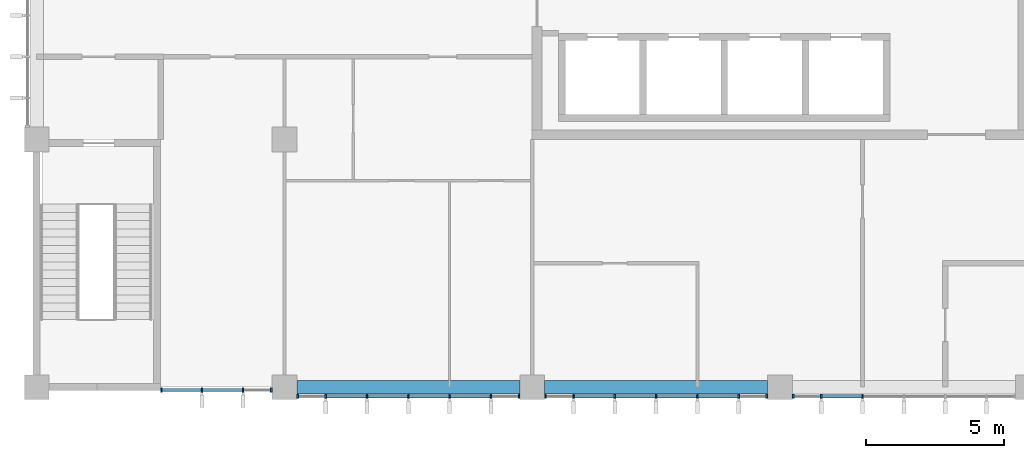
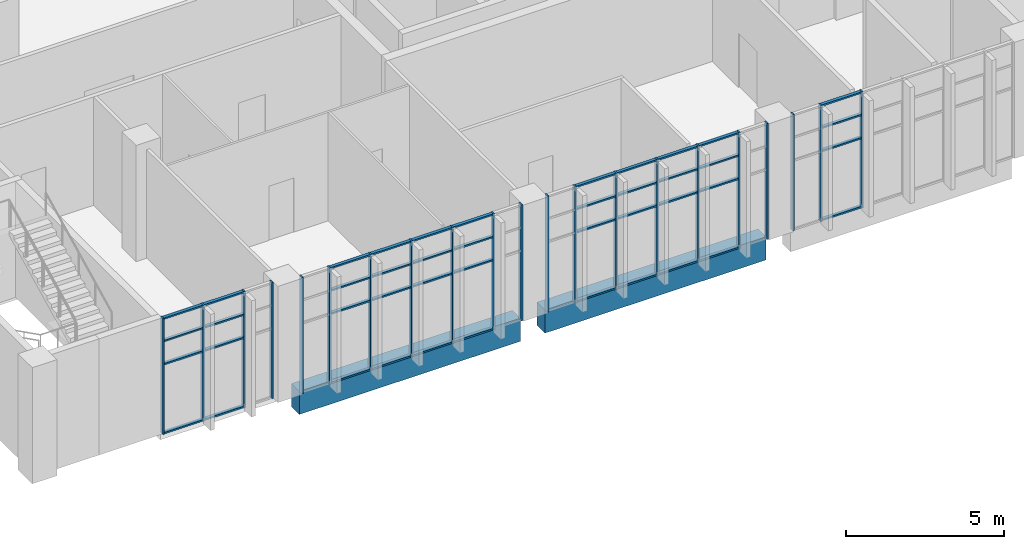
# One storey, part 10 of 45: 65 members, 2 beams, 4 elements without a shape of their own.
"""IFC4 building model written with IfcOpenShell, lengths in metres."""

import ifcopenshell
import ifcopenshell.guid

model = None  # the IFC model being written
_history = None  # IfcOwnerHistory: only IFC2X3 demands one
_inside = {}  # id of a spatial element -> (the spatial element, [elements in it])
_under = {}  # id of a project, library or spatial element -> (it, [spatial elements below it])
_declared = {}  # id of a project -> (the project, [libraries it declares])
_typed = {}  # id of a type object -> (the type object, [elements of that type])
_made_of = {}  # id of a material, layer set ... -> (it, [elements and type objects made of it])


def new_model(schema):
    """Start an empty IFC model of exactly this schema.

    Asked for "IFC4X3", IfcOpenShell would pick the latest addendum, in which some entities
    have other attributes; the version numbers below select the first issue.
    IFC2X3 requires an IfcOwnerHistory on every rooted entity: one is made here for all.
    """
    global model, _history
    if schema == "IFC4X3":
        model = ifcopenshell.file(schema_version=(4, 3, 0, 0))
    else:
        model = ifcopenshell.file(schema=schema)
    _inside.clear()
    _under.clear()
    _declared.clear()
    _typed.clear()
    _made_of.clear()
    _history = None
    if model.schema == "IFC2X3":
        org = make("IfcOrganization", Name="unknown")
        user = make(
            "IfcPersonAndOrganization",
            ThePerson=make("IfcPerson", FamilyName="unknown"),
            TheOrganization=org,
        )
        app = make(
            "IfcApplication",
            ApplicationDeveloper=org,
            Version="unknown",
            ApplicationFullName="unknown",
            ApplicationIdentifier="unknown",
        )
        _history = make(
            "IfcOwnerHistory",
            OwningUser=user,
            OwningApplication=app,
            ChangeAction="ADDED",
            CreationDate=0,
        )
    return model


def make(cls, **values):
    """One entity of the class cls with the attributes given. An attribute that is None is left unset."""
    return model.create_entity(
        cls, **{name: value for name, value in values.items() if value is not None}
    )


def rooted(cls, **values):
    """An entity with a GlobalId (a new one), such as an element, a storey or a relation."""
    return make(cls, GlobalId=ifcopenshell.guid.new(), OwnerHistory=_history, **values)


def si_unit(unit_type, name, prefix=None):
    """IfcSIUnit, for example si_unit("LENGTHUNIT", "METRE", prefix="MILLI")."""
    return make("IfcSIUnit", UnitType=unit_type, Prefix=prefix, Name=name)


def assignment(units):
    """IfcUnitAssignment: the units of a project."""
    return None if units is None else make("IfcUnitAssignment", Units=units)


def point(xyz):
    """IfcCartesianPoint."""
    return None if xyz is None else make("IfcCartesianPoint", Coordinates=xyz)


def direction(xyz):
    """IfcDirection."""
    return None if xyz is None else make("IfcDirection", DirectionRatios=xyz)


def frame(location, z_axis=None, x_axis=None):
    """IfcAxis2Placement3D, a coordinate frame: its origin and axes. An axis left out is left unset."""
    return make(
        "IfcAxis2Placement3D",
        Location=point(location),
        Axis=direction(z_axis),
        RefDirection=direction(x_axis),
    )


def frame_2d(location, x_axis=None):
    """IfcAxis2Placement2D, a coordinate frame in the plane: its origin and x axis."""
    return make(
        "IfcAxis2Placement2D", Location=point(location), RefDirection=direction(x_axis)
    )


def origin():
    """The frame at (0, 0, 0) with its axes left unset."""
    return frame((0.0, 0.0, 0.0))


def origin_2d():
    """The frame at (0, 0) in the plane with its x axis left unset."""
    return frame_2d((0.0, 0.0))


def place(relative_to, where):
    """IfcLocalPlacement: puts the frame where relative to a parent placement (None: the world)."""
    return make(
        "IfcLocalPlacement", PlacementRelTo=relative_to, RelativePlacement=where
    )


def context(
    kind, dimensions, precision=None, world=None, true_north=None, identifier=None
):
    """IfcGeometricRepresentationContext, for example the 3D "Model" context."""
    return make(
        "IfcGeometricRepresentationContext",
        ContextIdentifier=identifier,
        ContextType=kind,
        CoordinateSpaceDimension=dimensions,
        Precision=precision,
        WorldCoordinateSystem=world,
        TrueNorth=true_north,
    )


def subcontext(parent, identifier, kind, view, scale=None):
    """IfcGeometricRepresentationSubContext, for example "Body" below "Model"."""
    return make(
        "IfcGeometricRepresentationSubContext",
        ContextIdentifier=identifier,
        ContextType=kind,
        ParentContext=parent,
        TargetScale=scale,
        TargetView=view,
    )


def project(units=None, contexts=None):
    """IfcProject with its units and contexts."""
    return rooted(
        "IfcProject",
        Name="project",
        RepresentationContexts=contexts,
        UnitsInContext=assignment(units),
    )


def spatial(cls, under=None, at=None, **own):
    """A site, building, storey or space (cls), placed at a placement, below another one or the project."""
    s = rooted(cls, ObjectPlacement=at, **own)
    if under is not None:
        _under.setdefault(under.id(), (under, []))[1].append(s)
    return s


def profile(cls, at=None, kind="AREA", **sizes):
    """A parametric profile (cls). Its sizes go by their IFC names, for example OverallWidth=200.0."""
    return make(cls, ProfileType=kind, Position=at, **sizes)


def rectangle(**sizes):
    """IfcRectangleProfileDef."""
    return profile("IfcRectangleProfileDef", **sizes)


def extrude(swept, where, along, depth):
    """IfcExtrudedAreaSolid: the profile swept, set in the frame where, extruded along a direction by depth."""
    return make(
        "IfcExtrudedAreaSolid",
        SweptArea=swept,
        Position=where,
        ExtrudedDirection=direction(along),
        Depth=depth,
    )


def shape(context_of_items, identifier, shape_type, items):
    """IfcShapeRepresentation: the items that make up one representation, for example the "Body"."""
    return make(
        "IfcShapeRepresentation",
        ContextOfItems=context_of_items,
        RepresentationIdentifier=identifier,
        RepresentationType=shape_type,
        Items=items,
    )


def material(Name=None, Category=None):
    """IfcMaterial."""
    return make("IfcMaterial", Name=Name, Category=Category)


def layer(
    of_material, thickness, ventilated=None, Name=None, Category=None, Priority=None
):
    """IfcMaterialLayer: one layer of a wall or slab, of a material (None: an air gap)."""
    return make(
        "IfcMaterialLayer",
        Material=of_material,
        LayerThickness=thickness,
        IsVentilated=ventilated,
        Name=Name,
        Category=Category,
        Priority=Priority,
    )


def layer_set(layers, Name=None):
    """IfcMaterialLayerSet."""
    return make("IfcMaterialLayerSet", MaterialLayers=layers, LayerSetName=Name)


def material_profile(
    of_material, cross_section, Name=None, Category=None, Priority=None
):
    """IfcMaterialProfile: a cross section and its material."""
    return make(
        "IfcMaterialProfile",
        Name=Name,
        Material=of_material,
        Profile=cross_section,
        Priority=Priority,
        Category=Category,
    )


def profile_set(profiles, Name=None, composite=None):
    """IfcMaterialProfileSet."""
    return make(
        "IfcMaterialProfileSet",
        Name=Name,
        MaterialProfiles=profiles,
        CompositeProfile=composite,
    )


def made_of(thing, what):
    """Note that an element or type object is made of a material, layer set ...; save() writes the relation."""
    if what is not None:
        _made_of.setdefault(what.id(), (what, []))[1].append(thing)
    return thing


def type_object(cls, material=None, **own):
    """A type object (cls), such as IfcWallType, which elements share."""
    return made_of(rooted(cls, **own), material)


def element(
    cls,
    number,
    at=None,
    inside=None,
    cuts=None,
    type_object=None,
    material=None,
    context=None,
    identifier="Body",
    shape_type=None,
    held_by="IfcProductDefinitionShape",
    body=None,
    shapes=None,
    **own,
):
    """One element of the class cls, such as IfcWall. Its Tag is "e" and its number.

    at: its placement. inside: the storey or other place that contains it. cuts: it is an
    opening in that element (IfcRelVoidsElement). A single representation is given by context,
    identifier, shape_type and body (its items); several are given by shapes. held_by: the class
    of the entity that holds the representations. save() writes the other relations.
    """
    e = rooted(cls, Tag="e%d" % number, ObjectPlacement=at, **own)
    if body is not None:
        shapes = [shape(context, identifier, shape_type, body)]
    if shapes is not None:
        e.Representation = make(held_by, Representations=shapes)
    if inside is not None:
        _inside.setdefault(inside.id(), (inside, []))[1].append(e)
    if cuts is not None:
        rooted(
            "IfcRelVoidsElement", RelatingBuildingElement=cuts, RelatedOpeningElement=e
        )
    if type_object is not None:
        _typed.setdefault(type_object.id(), (type_object, []))[1].append(e)
    return made_of(e, material)


def aggregate(whole, parts):
    """IfcRelAggregates: a whole, such as a stair, and the parts it consists of."""
    return rooted("IfcRelAggregates", RelatingObject=whole, RelatedObjects=parts)


def save(model, path):
    """Write the relations noted so far, then the file.

    IfcRelAggregates (storeys below a building ...), IfcRelContainedInSpatialStructure (elements
    in a storey), IfcRelDefinesByType, IfcRelAssociatesMaterial and IfcRelDeclares: one each for
    every whole, place, type object, material and project.
    """
    for whole, parts in _under.values():
        aggregate(whole, parts)
    for where, things in _inside.values():
        rooted(
            "IfcRelContainedInSpatialStructure",
            RelatedElements=things,
            RelatingStructure=where,
        )
    for kind, things in _typed.values():
        rooted("IfcRelDefinesByType", RelatedObjects=things, RelatingType=kind)
    for what, things in _made_of.values():
        rooted("IfcRelAssociatesMaterial", RelatedObjects=things, RelatingMaterial=what)
    for by, libraries in _declared.values():
        rooted("IfcRelDeclares", RelatingContext=by, RelatedDefinitions=libraries)
    model.write(path)


model = new_model("IFC4")

# Units and contexts
model_context = context("Model", 3, precision=1e-05, world=origin(), true_north=direction((0.0, 1.0)))
body_context = subcontext(model_context, "Body", "Model", "MODEL_VIEW")
ifc_project = project(units=[si_unit("LENGTHUNIT", "METRE"), si_unit("AREAUNIT", "SQUARE_METRE"), si_unit("VOLUMEUNIT", "CUBIC_METRE"), si_unit("PLANEANGLEUNIT", "RADIAN"), si_unit("MASSUNIT", "GRAM", prefix="KILO")], contexts=[model_context])

# Site, building, storey
site_placement = place(None, origin())
site = spatial("IfcSite", under=ifc_project, at=site_placement, CompositionType="ELEMENT")
building_placement = place(site_placement, origin())
building = spatial("IfcBuilding", under=site, at=building_placement, Name="Guidao Yard Department Store", CompositionType="ELEMENT")
storey_placement = place(building_placement, frame((0.0, 0.0, 19.5)))
storey = spatial("IfcBuildingStorey", under=building, at=storey_placement, Name="L04", CompositionType="ELEMENT", Elevation=19.5)

# Curtain wall, members
ifc_material_1 = material(Name="Aluminium and glass", Category="aluminium")
ifc_layer = layer(ifc_material_1, 0.159912109375)
ifc_layer_set = layer_set([ifc_layer], Name="Unitised curtain wall CW4 1500 module")
curtain_wall_type = type_object("IfcCurtainWallType", Name="Unitised curtain wall CW4 1500 module", PredefinedType="NOTDEFINED", material=ifc_layer_set)
curtain_wall_1_placement = place(storey_placement, origin())
curtain_wall_1 = element("IfcCurtainWall", 1, at=curtain_wall_1_placement, inside=storey, type_object=curtain_wall_type, Name="Unitised curtain wall", PredefinedType="NOTDEFINED")
ifc_material_2 = material(Name="Aluminium 6063-T5", Category="aluminium")
ifc_material_profile_1 = material_profile(ifc_material_2, rectangle(XDim=0.06005859375, YDim=0.159912109375, at=origin_2d()), Name="Mullion M1 60 x 160 aluminium pressure plate")
ifc_profile_set_1 = profile_set([ifc_material_profile_1], Name="Aluminium 6063-T5")
member_type_1 = type_object("IfcMemberType", Name="Mullion M1 60 x 160 aluminium pressure plate", PredefinedType="MULLION", material=ifc_profile_set_1)
member_1_placement = place(storey_placement, frame((130.530029296875, -0.10009765625, 0.0), z_axis=(0.0, 0.0, 1.0), x_axis=(-1.0, 0.0, 0.0)))
member_1 = element("IfcMember", 2, at=member_1_placement, type_object=member_type_1, Name="CW-OW-L04-01 mullion 1", PredefinedType="MULLION", context=body_context, shape_type="SweptSolid", body=[
    extrude(rectangle(XDim=0.06005859375, YDim=0.159912109375, at=origin_2d()), origin(), (0.0, 0.0, 1.0), 4.5),
])
member_2_placement = place(storey_placement, frame((132.0, -0.10009765625, 0.0), z_axis=(0.0, 0.0, 1.0), x_axis=(-1.0, 0.0, 0.0)))
member_2 = element("IfcMember", 3, at=member_2_placement, type_object=member_type_1, Name="CW-OW-L04-01 mullion 2", PredefinedType="MULLION", context=body_context, shape_type="SweptSolid", body=[
    extrude(rectangle(XDim=0.06005859375, YDim=0.159912109375, at=origin_2d()), origin(), (0.0, 0.0, 1.0), 4.5),
])
member_3_placement = place(storey_placement, frame((133.5, -0.10009765625, 0.0), z_axis=(0.0, 0.0, 1.0), x_axis=(-1.0, 0.0, 0.0)))
member_3 = element("IfcMember", 4, at=member_3_placement, type_object=member_type_1, Name="CW-OW-L04-01 mullion 3", PredefinedType="MULLION", context=body_context, shape_type="SweptSolid", body=[
    extrude(rectangle(XDim=0.06005859375, YDim=0.159912109375, at=origin_2d()), origin(), (0.0, 0.0, 1.0), 4.5),
])
member_4_placement = place(storey_placement, frame((134.52001953125, -0.10009765625, 0.0), z_axis=(0.0, 0.0, 1.0), x_axis=(-1.0, 0.0, 0.0)))
member_4 = element("IfcMember", 5, at=member_4_placement, type_object=member_type_1, Name="CW-OW-L04-01 mullion 4", PredefinedType="MULLION", context=body_context, shape_type="SweptSolid", body=[
    extrude(rectangle(XDim=0.06005859375, YDim=0.159912109375, at=origin_2d()), origin(), (0.0, 0.0, 1.0), 4.5),
])

curtain_wall_2_placement = place(storey_placement, origin())
curtain_wall_2 = element("IfcCurtainWall", 6, at=curtain_wall_2_placement, inside=storey, type_object=curtain_wall_type, Name="Unitised curtain wall", PredefinedType="NOTDEFINED")
member_5_placement = place(storey_placement, frame((135.47998046875, -0.330078125, 0.0), z_axis=(0.0, 0.0, 1.0), x_axis=(-1.0, 0.0, 0.0)))
member_5 = element("IfcMember", 7, at=member_5_placement, type_object=member_type_1, Name="CW-OW-L04-02 mullion 1", PredefinedType="MULLION", context=body_context, shape_type="SweptSolid", body=[
    extrude(rectangle(XDim=0.06005859375, YDim=0.159912109375, at=origin_2d()), origin(), (0.0, 0.0, 1.0), 4.5),
])
member_6_placement = place(storey_placement, frame((136.5, -0.330078125, 0.0), z_axis=(0.0, 0.0, 1.0), x_axis=(-1.0, 0.0, 0.0)))
member_6 = element("IfcMember", 8, at=member_6_placement, type_object=member_type_1, Name="CW-OW-L04-02 mullion 2", PredefinedType="MULLION", context=body_context, shape_type="SweptSolid", body=[
    extrude(rectangle(XDim=0.06005859375, YDim=0.159912109375, at=origin_2d()), origin(), (0.0, 0.0, 1.0), 4.5),
])
member_7_placement = place(storey_placement, frame((138.0, -0.330078125, 0.0), z_axis=(0.0, 0.0, 1.0), x_axis=(-1.0, 0.0, 0.0)))
member_7 = element("IfcMember", 9, at=member_7_placement, type_object=member_type_1, Name="CW-OW-L04-02 mullion 3", PredefinedType="MULLION", context=body_context, shape_type="SweptSolid", body=[
    extrude(rectangle(XDim=0.06005859375, YDim=0.159912109375, at=origin_2d()), origin(), (0.0, 0.0, 1.0), 4.5),
])
member_8_placement = place(storey_placement, frame((139.5, -0.330078125, 0.0), z_axis=(0.0, 0.0, 1.0), x_axis=(-1.0, 0.0, 0.0)))
member_8 = element("IfcMember", 10, at=member_8_placement, type_object=member_type_1, Name="CW-OW-L04-02 mullion 4", PredefinedType="MULLION", context=body_context, shape_type="SweptSolid", body=[
    extrude(rectangle(XDim=0.06005859375, YDim=0.159912109375, at=origin_2d()), origin(), (0.0, 0.0, 1.0), 4.5),
])
member_9_placement = place(storey_placement, frame((141.0, -0.330078125, 0.0), z_axis=(0.0, 0.0, 1.0), x_axis=(-1.0, 0.0, 0.0)))
member_9 = element("IfcMember", 11, at=member_9_placement, type_object=member_type_1, Name="CW-OW-L04-02 mullion 5", PredefinedType="MULLION", context=body_context, shape_type="SweptSolid", body=[
    extrude(rectangle(XDim=0.06005859375, YDim=0.159912109375, at=origin_2d()), origin(), (0.0, 0.0, 1.0), 4.5),
])
member_10_placement = place(storey_placement, frame((142.5, -0.330078125, 0.0), z_axis=(0.0, 0.0, 1.0), x_axis=(-1.0, 0.0, 0.0)))
member_10 = element("IfcMember", 12, at=member_10_placement, type_object=member_type_1, Name="CW-OW-L04-02 mullion 6", PredefinedType="MULLION", context=body_context, shape_type="SweptSolid", body=[
    extrude(rectangle(XDim=0.06005859375, YDim=0.159912109375, at=origin_2d()), origin(), (0.0, 0.0, 1.0), 4.5),
])
member_11_placement = place(storey_placement, frame((143.52001953125, -0.330078125, 0.0), z_axis=(0.0, 0.0, 1.0), x_axis=(-1.0, 0.0, 0.0)))
member_11 = element("IfcMember", 13, at=member_11_placement, type_object=member_type_1, Name="CW-OW-L04-02 mullion 7", PredefinedType="MULLION", context=body_context, shape_type="SweptSolid", body=[
    extrude(rectangle(XDim=0.06005859375, YDim=0.159912109375, at=origin_2d()), origin(), (0.0, 0.0, 1.0), 4.5),
])

curtain_wall_3_placement = place(storey_placement, origin())
curtain_wall_3 = element("IfcCurtainWall", 14, at=curtain_wall_3_placement, inside=storey, type_object=curtain_wall_type, Name="Unitised curtain wall", PredefinedType="NOTDEFINED")
member_12_placement = place(storey_placement, frame((144.47998046875, -0.330078125, 0.0), z_axis=(0.0, 0.0, 1.0), x_axis=(-1.0, 0.0, 0.0)))
member_12 = element("IfcMember", 15, at=member_12_placement, type_object=member_type_1, Name="CW-OW-L04-03 mullion 1", PredefinedType="MULLION", context=body_context, shape_type="SweptSolid", body=[
    extrude(rectangle(XDim=0.06005859375, YDim=0.159912109375, at=origin_2d()), origin(), (0.0, 0.0, 1.0), 4.5),
])
member_13_placement = place(storey_placement, frame((145.5, -0.330078125, 0.0), z_axis=(0.0, 0.0, 1.0), x_axis=(-1.0, 0.0, 0.0)))
member_13 = element("IfcMember", 16, at=member_13_placement, type_object=member_type_1, Name="CW-OW-L04-03 mullion 2", PredefinedType="MULLION", context=body_context, shape_type="SweptSolid", body=[
    extrude(rectangle(XDim=0.06005859375, YDim=0.159912109375, at=origin_2d()), origin(), (0.0, 0.0, 1.0), 4.5),
])
member_14_placement = place(storey_placement, frame((147.0, -0.330078125, 0.0), z_axis=(0.0, 0.0, 1.0), x_axis=(-1.0, 0.0, 0.0)))
member_14 = element("IfcMember", 17, at=member_14_placement, type_object=member_type_1, Name="CW-OW-L04-03 mullion 3", PredefinedType="MULLION", context=body_context, shape_type="SweptSolid", body=[
    extrude(rectangle(XDim=0.06005859375, YDim=0.159912109375, at=origin_2d()), origin(), (0.0, 0.0, 1.0), 4.5),
])
member_15_placement = place(storey_placement, frame((148.5, -0.330078125, 0.0), z_axis=(0.0, 0.0, 1.0), x_axis=(-1.0, 0.0, 0.0)))
member_15 = element("IfcMember", 18, at=member_15_placement, type_object=member_type_1, Name="CW-OW-L04-03 mullion 4", PredefinedType="MULLION", context=body_context, shape_type="SweptSolid", body=[
    extrude(rectangle(XDim=0.06005859375, YDim=0.159912109375, at=origin_2d()), origin(), (0.0, 0.0, 1.0), 4.5),
])
member_16_placement = place(storey_placement, frame((150.0, -0.330078125, 0.0), z_axis=(0.0, 0.0, 1.0), x_axis=(-1.0, 0.0, 0.0)))
member_16 = element("IfcMember", 19, at=member_16_placement, type_object=member_type_1, Name="CW-OW-L04-03 mullion 5", PredefinedType="MULLION", context=body_context, shape_type="SweptSolid", body=[
    extrude(rectangle(XDim=0.06005859375, YDim=0.159912109375, at=origin_2d()), origin(), (0.0, 0.0, 1.0), 4.5),
])
member_17_placement = place(storey_placement, frame((151.5, -0.330078125, 0.0), z_axis=(0.0, 0.0, 1.0), x_axis=(-1.0, 0.0, 0.0)))
member_17 = element("IfcMember", 20, at=member_17_placement, type_object=member_type_1, Name="CW-OW-L04-03 mullion 6", PredefinedType="MULLION", context=body_context, shape_type="SweptSolid", body=[
    extrude(rectangle(XDim=0.06005859375, YDim=0.159912109375, at=origin_2d()), origin(), (0.0, 0.0, 1.0), 4.5),
])
member_18_placement = place(storey_placement, frame((152.52001953125, -0.330078125, 0.0), z_axis=(0.0, 0.0, 1.0), x_axis=(-1.0, 0.0, 0.0)))
member_18 = element("IfcMember", 21, at=member_18_placement, type_object=member_type_1, Name="CW-OW-L04-03 mullion 7", PredefinedType="MULLION", context=body_context, shape_type="SweptSolid", body=[
    extrude(rectangle(XDim=0.06005859375, YDim=0.159912109375, at=origin_2d()), origin(), (0.0, 0.0, 1.0), 4.5),
])

curtain_wall_4_placement = place(storey_placement, origin())
curtain_wall_4 = element("IfcCurtainWall", 22, at=curtain_wall_4_placement, inside=storey, type_object=curtain_wall_type, Name="Unitised curtain wall", PredefinedType="NOTDEFINED")
member_19_placement = place(storey_placement, frame((153.47998046875, -0.330078125, 0.0), z_axis=(0.0, 0.0, 1.0), x_axis=(-1.0, 0.0, 0.0)))
member_19 = element("IfcMember", 23, at=member_19_placement, type_object=member_type_1, Name="CW-OW-L04-04 mullion 1", PredefinedType="MULLION", context=body_context, shape_type="SweptSolid", body=[
    extrude(rectangle(XDim=0.06005859375, YDim=0.159912109375, at=origin_2d()), origin(), (0.0, 0.0, 1.0), 4.5),
])
member_20_placement = place(storey_placement, frame((154.5, -0.330078125, 0.0), z_axis=(0.0, 0.0, 1.0), x_axis=(-1.0, 0.0, 0.0)))
member_20 = element("IfcMember", 24, at=member_20_placement, type_object=member_type_1, Name="CW-OW-L04-04 mullion 2", PredefinedType="MULLION", context=body_context, shape_type="SweptSolid", body=[
    extrude(rectangle(XDim=0.06005859375, YDim=0.159912109375, at=origin_2d()), origin(), (0.0, 0.0, 1.0), 4.5),
])
member_21_placement = place(storey_placement, frame((156.0, -0.330078125, 0.0), z_axis=(0.0, 0.0, 1.0), x_axis=(-1.0, 0.0, 0.0)))
member_21 = element("IfcMember", 25, at=member_21_placement, type_object=member_type_1, Name="CW-OW-L04-04 mullion 3", PredefinedType="MULLION", context=body_context, shape_type="SweptSolid", body=[
    extrude(rectangle(XDim=0.06005859375, YDim=0.159912109375, at=origin_2d()), origin(), (0.0, 0.0, 1.0), 4.5),
])

# Beams
ifc_material_3 = material(Name="Concrete C40", Category="concrete")
ifc_material_profile_2 = material_profile(ifc_material_3, rectangle(XDim=0.5, YDim=0.89990234375, at=origin_2d()), Name="Spandrel beam 500 x 900 C40")
ifc_profile_set_2 = profile_set([ifc_material_profile_2], Name="Concrete C40")
beam_type = type_object("IfcBeamType", Name="Spandrel beam 500 x 900 C40", PredefinedType="SPANDREL", material=ifc_profile_set_2)
for number, where, z_axis, x_axis, name in (
    (26, (135.449951171875, 0.0, -0.449951171875), (1.0, 0.0, 0.0), (0.0, 1.0, 0.0), "Beam FB01"),
    (27, (144.449951171875, 0.0, -0.449951171875), (1.0, 0.0, 0.0), (0.0, 1.0, 0.0), "Beam FB02"),
):
    element("IfcBeam", number, at=place(storey_placement, frame(where, z_axis=z_axis, x_axis=x_axis)), inside=storey, type_object=beam_type, Name=name, PredefinedType="SPANDREL", context=body_context, shape_type="SweptSolid", body=[
        extrude(rectangle(XDim=0.5, YDim=0.89990234375, at=origin_2d()), origin(), (0.0, 0.0, 1.0), 8.10009765625),
    ])

# Member
ifc_material_4 = material(Name="Aluminium 6063-T5", Category="aluminium")
ifc_material_profile_3 = material_profile(ifc_material_4, rectangle(XDim=0.1201171875, YDim=0.06005859375, at=origin_2d()), Name="Transom T1 60 x 120 aluminium pressure plate")
ifc_profile_set_3 = profile_set([ifc_material_profile_3], Name="Aluminium 6063-T5")
member_type_2 = type_object("IfcMemberType", Name="Transom T1 60 x 120 aluminium pressure plate", PredefinedType="USERDEFINED", material=ifc_profile_set_3)
member_22_placement = place(storey_placement, frame((131.969970703125, -0.10009765625, 0.030029296875), z_axis=(-1.0, 0.0, 0.0), x_axis=(0.0, -1.0, 0.0)))
member_22 = element("IfcMember", 28, at=member_22_placement, type_object=member_type_2, Name="CW-OW-L04-01 transom 1.1", ObjectType="TRANSOM", PredefinedType="USERDEFINED", context=body_context, shape_type="SweptSolid", body=[
    extrude(rectangle(XDim=0.1201171875, YDim=0.06005859375, at=origin_2d()), origin(), (0.0, 0.0, 1.0), 1.409912109375),
])

member_23_placement = place(storey_placement, frame((131.969970703125, -0.10009765625, 2.699951171875), z_axis=(-1.0, 0.0, 0.0), x_axis=(0.0, -1.0, 0.0)))
member_23 = element("IfcMember", 29, at=member_23_placement, type_object=member_type_2, Name="CW-OW-L04-01 transom 1.2", ObjectType="TRANSOM", PredefinedType="USERDEFINED", context=body_context, shape_type="SweptSolid", body=[
    extrude(rectangle(XDim=0.1201171875, YDim=0.06005859375, at=origin_2d()), origin(), (0.0, 0.0, 1.0), 1.409912109375),
])

member_24_placement = place(storey_placement, frame((131.969970703125, -0.10009765625, 3.60009765625), z_axis=(-1.0, 0.0, 0.0), x_axis=(0.0, -1.0, 0.0)))
member_24 = element("IfcMember", 30, at=member_24_placement, type_object=member_type_2, Name="CW-OW-L04-01 transom 1.3", ObjectType="TRANSOM", PredefinedType="USERDEFINED", context=body_context, shape_type="SweptSolid", body=[
    extrude(rectangle(XDim=0.1201171875, YDim=0.06005859375, at=origin_2d()), origin(), (0.0, 0.0, 1.0), 1.409912109375),
])

member_25_placement = place(storey_placement, frame((131.969970703125, -0.10009765625, 4.469970703125), z_axis=(-1.0, 0.0, 0.0), x_axis=(0.0, -1.0, 0.0)))
member_25 = element("IfcMember", 31, at=member_25_placement, type_object=member_type_2, Name="CW-OW-L04-01 transom 1.4", ObjectType="TRANSOM", PredefinedType="USERDEFINED", context=body_context, shape_type="SweptSolid", body=[
    extrude(rectangle(XDim=0.1201171875, YDim=0.06005859375, at=origin_2d()), origin(), (0.0, 0.0, 1.0), 1.409912109375),
])

member_26_placement = place(storey_placement, frame((133.469970703125, -0.10009765625, 0.030029296875), z_axis=(-1.0, 0.0, 0.0), x_axis=(0.0, -1.0, 0.0)))
member_26 = element("IfcMember", 32, at=member_26_placement, type_object=member_type_2, Name="CW-OW-L04-01 transom 2.1", ObjectType="TRANSOM", PredefinedType="USERDEFINED", context=body_context, shape_type="SweptSolid", body=[
    extrude(rectangle(XDim=0.1201171875, YDim=0.06005859375, at=origin_2d()), origin(), (0.0, 0.0, 1.0), 1.43994140625),
])

member_27_placement = place(storey_placement, frame((133.469970703125, -0.10009765625, 2.699951171875), z_axis=(-1.0, 0.0, 0.0), x_axis=(0.0, -1.0, 0.0)))
member_27 = element("IfcMember", 33, at=member_27_placement, type_object=member_type_2, Name="CW-OW-L04-01 transom 2.2", ObjectType="TRANSOM", PredefinedType="USERDEFINED", context=body_context, shape_type="SweptSolid", body=[
    extrude(rectangle(XDim=0.1201171875, YDim=0.06005859375, at=origin_2d()), origin(), (0.0, 0.0, 1.0), 1.43994140625),
])

member_28_placement = place(storey_placement, frame((133.469970703125, -0.10009765625, 3.60009765625), z_axis=(-1.0, 0.0, 0.0), x_axis=(0.0, -1.0, 0.0)))
member_28 = element("IfcMember", 34, at=member_28_placement, type_object=member_type_2, Name="CW-OW-L04-01 transom 2.3", ObjectType="TRANSOM", PredefinedType="USERDEFINED", context=body_context, shape_type="SweptSolid", body=[
    extrude(rectangle(XDim=0.1201171875, YDim=0.06005859375, at=origin_2d()), origin(), (0.0, 0.0, 1.0), 1.43994140625),
])

member_29_placement = place(storey_placement, frame((133.469970703125, -0.10009765625, 4.469970703125), z_axis=(-1.0, 0.0, 0.0), x_axis=(0.0, -1.0, 0.0)))
member_29 = element("IfcMember", 35, at=member_29_placement, type_object=member_type_2, Name="CW-OW-L04-01 transom 2.4", ObjectType="TRANSOM", PredefinedType="USERDEFINED", context=body_context, shape_type="SweptSolid", body=[
    extrude(rectangle(XDim=0.1201171875, YDim=0.06005859375, at=origin_2d()), origin(), (0.0, 0.0, 1.0), 1.43994140625),
])

aggregate(curtain_wall_1, [member_1, member_2, member_3, member_4, member_22, member_23, member_24, member_25, member_26, member_27, member_28, member_29])

member_30_placement = place(storey_placement, frame((137.969970703125, -0.330078125, 0.030029296875), z_axis=(-1.0, 0.0, 0.0), x_axis=(0.0, -1.0, 0.0)))
member_30 = element("IfcMember", 36, at=member_30_placement, type_object=member_type_2, Name="CW-OW-L04-02 transom 2.1", ObjectType="TRANSOM", PredefinedType="USERDEFINED", context=body_context, shape_type="SweptSolid", body=[
    extrude(rectangle(XDim=0.1201171875, YDim=0.06005859375, at=origin_2d()), origin(), (0.0, 0.0, 1.0), 1.43994140625),
])

member_31_placement = place(storey_placement, frame((137.969970703125, -0.330078125, 2.699951171875), z_axis=(-1.0, 0.0, 0.0), x_axis=(0.0, -1.0, 0.0)))
member_31 = element("IfcMember", 37, at=member_31_placement, type_object=member_type_2, Name="CW-OW-L04-02 transom 2.2", ObjectType="TRANSOM", PredefinedType="USERDEFINED", context=body_context, shape_type="SweptSolid", body=[
    extrude(rectangle(XDim=0.1201171875, YDim=0.06005859375, at=origin_2d()), origin(), (0.0, 0.0, 1.0), 1.43994140625),
])

member_32_placement = place(storey_placement, frame((137.969970703125, -0.330078125, 3.60009765625), z_axis=(-1.0, 0.0, 0.0), x_axis=(0.0, -1.0, 0.0)))
member_32 = element("IfcMember", 38, at=member_32_placement, type_object=member_type_2, Name="CW-OW-L04-02 transom 2.3", ObjectType="TRANSOM", PredefinedType="USERDEFINED", context=body_context, shape_type="SweptSolid", body=[
    extrude(rectangle(XDim=0.1201171875, YDim=0.06005859375, at=origin_2d()), origin(), (0.0, 0.0, 1.0), 1.43994140625),
])

member_33_placement = place(storey_placement, frame((137.969970703125, -0.330078125, 4.469970703125), z_axis=(-1.0, 0.0, 0.0), x_axis=(0.0, -1.0, 0.0)))
member_33 = element("IfcMember", 39, at=member_33_placement, type_object=member_type_2, Name="CW-OW-L04-02 transom 2.4", ObjectType="TRANSOM", PredefinedType="USERDEFINED", context=body_context, shape_type="SweptSolid", body=[
    extrude(rectangle(XDim=0.1201171875, YDim=0.06005859375, at=origin_2d()), origin(), (0.0, 0.0, 1.0), 1.43994140625),
])

member_34_placement = place(storey_placement, frame((139.469970703125, -0.330078125, 0.030029296875), z_axis=(-1.0, 0.0, 0.0), x_axis=(0.0, -1.0, 0.0)))
member_34 = element("IfcMember", 40, at=member_34_placement, type_object=member_type_2, Name="CW-OW-L04-02 transom 3.1", ObjectType="TRANSOM", PredefinedType="USERDEFINED", context=body_context, shape_type="SweptSolid", body=[
    extrude(rectangle(XDim=0.1201171875, YDim=0.06005859375, at=origin_2d()), origin(), (0.0, 0.0, 1.0), 1.43994140625),
])

member_35_placement = place(storey_placement, frame((139.469970703125, -0.330078125, 2.699951171875), z_axis=(-1.0, 0.0, 0.0), x_axis=(0.0, -1.0, 0.0)))
member_35 = element("IfcMember", 41, at=member_35_placement, type_object=member_type_2, Name="CW-OW-L04-02 transom 3.2", ObjectType="TRANSOM", PredefinedType="USERDEFINED", context=body_context, shape_type="SweptSolid", body=[
    extrude(rectangle(XDim=0.1201171875, YDim=0.06005859375, at=origin_2d()), origin(), (0.0, 0.0, 1.0), 1.43994140625),
])

member_36_placement = place(storey_placement, frame((139.469970703125, -0.330078125, 3.60009765625), z_axis=(-1.0, 0.0, 0.0), x_axis=(0.0, -1.0, 0.0)))
member_36 = element("IfcMember", 42, at=member_36_placement, type_object=member_type_2, Name="CW-OW-L04-02 transom 3.3", ObjectType="TRANSOM", PredefinedType="USERDEFINED", context=body_context, shape_type="SweptSolid", body=[
    extrude(rectangle(XDim=0.1201171875, YDim=0.06005859375, at=origin_2d()), origin(), (0.0, 0.0, 1.0), 1.43994140625),
])

member_37_placement = place(storey_placement, frame((139.469970703125, -0.330078125, 4.469970703125), z_axis=(-1.0, 0.0, 0.0), x_axis=(0.0, -1.0, 0.0)))
member_37 = element("IfcMember", 43, at=member_37_placement, type_object=member_type_2, Name="CW-OW-L04-02 transom 3.4", ObjectType="TRANSOM", PredefinedType="USERDEFINED", context=body_context, shape_type="SweptSolid", body=[
    extrude(rectangle(XDim=0.1201171875, YDim=0.06005859375, at=origin_2d()), origin(), (0.0, 0.0, 1.0), 1.43994140625),
])

member_38_placement = place(storey_placement, frame((140.969970703125, -0.330078125, 0.030029296875), z_axis=(-1.0, 0.0, 0.0), x_axis=(0.0, -1.0, 0.0)))
member_38 = element("IfcMember", 44, at=member_38_placement, type_object=member_type_2, Name="CW-OW-L04-02 transom 4.1", ObjectType="TRANSOM", PredefinedType="USERDEFINED", context=body_context, shape_type="SweptSolid", body=[
    extrude(rectangle(XDim=0.1201171875, YDim=0.06005859375, at=origin_2d()), origin(), (0.0, 0.0, 1.0), 1.43994140625),
])

member_39_placement = place(storey_placement, frame((140.969970703125, -0.330078125, 2.699951171875), z_axis=(-1.0, 0.0, 0.0), x_axis=(0.0, -1.0, 0.0)))
member_39 = element("IfcMember", 45, at=member_39_placement, type_object=member_type_2, Name="CW-OW-L04-02 transom 4.2", ObjectType="TRANSOM", PredefinedType="USERDEFINED", context=body_context, shape_type="SweptSolid", body=[
    extrude(rectangle(XDim=0.1201171875, YDim=0.06005859375, at=origin_2d()), origin(), (0.0, 0.0, 1.0), 1.43994140625),
])

member_40_placement = place(storey_placement, frame((140.969970703125, -0.330078125, 3.60009765625), z_axis=(-1.0, 0.0, 0.0), x_axis=(0.0, -1.0, 0.0)))
member_40 = element("IfcMember", 46, at=member_40_placement, type_object=member_type_2, Name="CW-OW-L04-02 transom 4.3", ObjectType="TRANSOM", PredefinedType="USERDEFINED", context=body_context, shape_type="SweptSolid", body=[
    extrude(rectangle(XDim=0.1201171875, YDim=0.06005859375, at=origin_2d()), origin(), (0.0, 0.0, 1.0), 1.43994140625),
])

member_41_placement = place(storey_placement, frame((140.969970703125, -0.330078125, 4.469970703125), z_axis=(-1.0, 0.0, 0.0), x_axis=(0.0, -1.0, 0.0)))
member_41 = element("IfcMember", 47, at=member_41_placement, type_object=member_type_2, Name="CW-OW-L04-02 transom 4.4", ObjectType="TRANSOM", PredefinedType="USERDEFINED", context=body_context, shape_type="SweptSolid", body=[
    extrude(rectangle(XDim=0.1201171875, YDim=0.06005859375, at=origin_2d()), origin(), (0.0, 0.0, 1.0), 1.43994140625),
])

member_42_placement = place(storey_placement, frame((142.469970703125, -0.330078125, 0.030029296875), z_axis=(-1.0, 0.0, 0.0), x_axis=(0.0, -1.0, 0.0)))
member_42 = element("IfcMember", 48, at=member_42_placement, type_object=member_type_2, Name="CW-OW-L04-02 transom 5.1", ObjectType="TRANSOM", PredefinedType="USERDEFINED", context=body_context, shape_type="SweptSolid", body=[
    extrude(rectangle(XDim=0.1201171875, YDim=0.06005859375, at=origin_2d()), origin(), (0.0, 0.0, 1.0), 1.43994140625),
])

member_43_placement = place(storey_placement, frame((142.469970703125, -0.330078125, 2.699951171875), z_axis=(-1.0, 0.0, 0.0), x_axis=(0.0, -1.0, 0.0)))
member_43 = element("IfcMember", 49, at=member_43_placement, type_object=member_type_2, Name="CW-OW-L04-02 transom 5.2", ObjectType="TRANSOM", PredefinedType="USERDEFINED", context=body_context, shape_type="SweptSolid", body=[
    extrude(rectangle(XDim=0.1201171875, YDim=0.06005859375, at=origin_2d()), origin(), (0.0, 0.0, 1.0), 1.43994140625),
])

member_44_placement = place(storey_placement, frame((142.469970703125, -0.330078125, 3.60009765625), z_axis=(-1.0, 0.0, 0.0), x_axis=(0.0, -1.0, 0.0)))
member_44 = element("IfcMember", 50, at=member_44_placement, type_object=member_type_2, Name="CW-OW-L04-02 transom 5.3", ObjectType="TRANSOM", PredefinedType="USERDEFINED", context=body_context, shape_type="SweptSolid", body=[
    extrude(rectangle(XDim=0.1201171875, YDim=0.06005859375, at=origin_2d()), origin(), (0.0, 0.0, 1.0), 1.43994140625),
])

member_45_placement = place(storey_placement, frame((142.469970703125, -0.330078125, 4.469970703125), z_axis=(-1.0, 0.0, 0.0), x_axis=(0.0, -1.0, 0.0)))
member_45 = element("IfcMember", 51, at=member_45_placement, type_object=member_type_2, Name="CW-OW-L04-02 transom 5.4", ObjectType="TRANSOM", PredefinedType="USERDEFINED", context=body_context, shape_type="SweptSolid", body=[
    extrude(rectangle(XDim=0.1201171875, YDim=0.06005859375, at=origin_2d()), origin(), (0.0, 0.0, 1.0), 1.43994140625),
])

aggregate(curtain_wall_2, [member_5, member_6, member_7, member_8, member_9, member_10, member_11, member_30, member_31, member_32, member_33, member_34, member_35, member_36, member_37, member_38, member_39, member_40, member_41, member_42, member_43, member_44, member_45])

member_46_placement = place(storey_placement, frame((146.969970703125, -0.330078125, 0.030029296875), z_axis=(-1.0, 0.0, 0.0), x_axis=(0.0, -1.0, 0.0)))
member_46 = element("IfcMember", 52, at=member_46_placement, type_object=member_type_2, Name="CW-OW-L04-03 transom 2.1", ObjectType="TRANSOM", PredefinedType="USERDEFINED", context=body_context, shape_type="SweptSolid", body=[
    extrude(rectangle(XDim=0.1201171875, YDim=0.06005859375, at=origin_2d()), origin(), (0.0, 0.0, 1.0), 1.43994140625),
])

member_47_placement = place(storey_placement, frame((146.969970703125, -0.330078125, 2.699951171875), z_axis=(-1.0, 0.0, 0.0), x_axis=(0.0, -1.0, 0.0)))
member_47 = element("IfcMember", 53, at=member_47_placement, type_object=member_type_2, Name="CW-OW-L04-03 transom 2.2", ObjectType="TRANSOM", PredefinedType="USERDEFINED", context=body_context, shape_type="SweptSolid", body=[
    extrude(rectangle(XDim=0.1201171875, YDim=0.06005859375, at=origin_2d()), origin(), (0.0, 0.0, 1.0), 1.43994140625),
])

member_48_placement = place(storey_placement, frame((146.969970703125, -0.330078125, 3.60009765625), z_axis=(-1.0, 0.0, 0.0), x_axis=(0.0, -1.0, 0.0)))
member_48 = element("IfcMember", 54, at=member_48_placement, type_object=member_type_2, Name="CW-OW-L04-03 transom 2.3", ObjectType="TRANSOM", PredefinedType="USERDEFINED", context=body_context, shape_type="SweptSolid", body=[
    extrude(rectangle(XDim=0.1201171875, YDim=0.06005859375, at=origin_2d()), origin(), (0.0, 0.0, 1.0), 1.43994140625),
])

member_49_placement = place(storey_placement, frame((146.969970703125, -0.330078125, 4.469970703125), z_axis=(-1.0, 0.0, 0.0), x_axis=(0.0, -1.0, 0.0)))
member_49 = element("IfcMember", 55, at=member_49_placement, type_object=member_type_2, Name="CW-OW-L04-03 transom 2.4", ObjectType="TRANSOM", PredefinedType="USERDEFINED", context=body_context, shape_type="SweptSolid", body=[
    extrude(rectangle(XDim=0.1201171875, YDim=0.06005859375, at=origin_2d()), origin(), (0.0, 0.0, 1.0), 1.43994140625),
])

member_50_placement = place(storey_placement, frame((148.469970703125, -0.330078125, 0.030029296875), z_axis=(-1.0, 0.0, 0.0), x_axis=(0.0, -1.0, 0.0)))
member_50 = element("IfcMember", 56, at=member_50_placement, type_object=member_type_2, Name="CW-OW-L04-03 transom 3.1", ObjectType="TRANSOM", PredefinedType="USERDEFINED", context=body_context, shape_type="SweptSolid", body=[
    extrude(rectangle(XDim=0.1201171875, YDim=0.06005859375, at=origin_2d()), origin(), (0.0, 0.0, 1.0), 1.43994140625),
])

member_51_placement = place(storey_placement, frame((148.469970703125, -0.330078125, 2.699951171875), z_axis=(-1.0, 0.0, 0.0), x_axis=(0.0, -1.0, 0.0)))
member_51 = element("IfcMember", 57, at=member_51_placement, type_object=member_type_2, Name="CW-OW-L04-03 transom 3.2", ObjectType="TRANSOM", PredefinedType="USERDEFINED", context=body_context, shape_type="SweptSolid", body=[
    extrude(rectangle(XDim=0.1201171875, YDim=0.06005859375, at=origin_2d()), origin(), (0.0, 0.0, 1.0), 1.43994140625),
])

member_52_placement = place(storey_placement, frame((148.469970703125, -0.330078125, 3.60009765625), z_axis=(-1.0, 0.0, 0.0), x_axis=(0.0, -1.0, 0.0)))
member_52 = element("IfcMember", 58, at=member_52_placement, type_object=member_type_2, Name="CW-OW-L04-03 transom 3.3", ObjectType="TRANSOM", PredefinedType="USERDEFINED", context=body_context, shape_type="SweptSolid", body=[
    extrude(rectangle(XDim=0.1201171875, YDim=0.06005859375, at=origin_2d()), origin(), (0.0, 0.0, 1.0), 1.43994140625),
])

member_53_placement = place(storey_placement, frame((148.469970703125, -0.330078125, 4.469970703125), z_axis=(-1.0, 0.0, 0.0), x_axis=(0.0, -1.0, 0.0)))
member_53 = element("IfcMember", 59, at=member_53_placement, type_object=member_type_2, Name="CW-OW-L04-03 transom 3.4", ObjectType="TRANSOM", PredefinedType="USERDEFINED", context=body_context, shape_type="SweptSolid", body=[
    extrude(rectangle(XDim=0.1201171875, YDim=0.06005859375, at=origin_2d()), origin(), (0.0, 0.0, 1.0), 1.43994140625),
])

member_54_placement = place(storey_placement, frame((149.969970703125, -0.330078125, 0.030029296875), z_axis=(-1.0, 0.0, 0.0), x_axis=(0.0, -1.0, 0.0)))
member_54 = element("IfcMember", 60, at=member_54_placement, type_object=member_type_2, Name="CW-OW-L04-03 transom 4.1", ObjectType="TRANSOM", PredefinedType="USERDEFINED", context=body_context, shape_type="SweptSolid", body=[
    extrude(rectangle(XDim=0.1201171875, YDim=0.06005859375, at=origin_2d()), origin(), (0.0, 0.0, 1.0), 1.43994140625),
])

member_55_placement = place(storey_placement, frame((149.969970703125, -0.330078125, 2.699951171875), z_axis=(-1.0, 0.0, 0.0), x_axis=(0.0, -1.0, 0.0)))
member_55 = element("IfcMember", 61, at=member_55_placement, type_object=member_type_2, Name="CW-OW-L04-03 transom 4.2", ObjectType="TRANSOM", PredefinedType="USERDEFINED", context=body_context, shape_type="SweptSolid", body=[
    extrude(rectangle(XDim=0.1201171875, YDim=0.06005859375, at=origin_2d()), origin(), (0.0, 0.0, 1.0), 1.43994140625),
])

member_56_placement = place(storey_placement, frame((149.969970703125, -0.330078125, 3.60009765625), z_axis=(-1.0, 0.0, 0.0), x_axis=(0.0, -1.0, 0.0)))
member_56 = element("IfcMember", 62, at=member_56_placement, type_object=member_type_2, Name="CW-OW-L04-03 transom 4.3", ObjectType="TRANSOM", PredefinedType="USERDEFINED", context=body_context, shape_type="SweptSolid", body=[
    extrude(rectangle(XDim=0.1201171875, YDim=0.06005859375, at=origin_2d()), origin(), (0.0, 0.0, 1.0), 1.43994140625),
])

member_57_placement = place(storey_placement, frame((149.969970703125, -0.330078125, 4.469970703125), z_axis=(-1.0, 0.0, 0.0), x_axis=(0.0, -1.0, 0.0)))
member_57 = element("IfcMember", 63, at=member_57_placement, type_object=member_type_2, Name="CW-OW-L04-03 transom 4.4", ObjectType="TRANSOM", PredefinedType="USERDEFINED", context=body_context, shape_type="SweptSolid", body=[
    extrude(rectangle(XDim=0.1201171875, YDim=0.06005859375, at=origin_2d()), origin(), (0.0, 0.0, 1.0), 1.43994140625),
])

member_58_placement = place(storey_placement, frame((151.469970703125, -0.330078125, 0.030029296875), z_axis=(-1.0, 0.0, 0.0), x_axis=(0.0, -1.0, 0.0)))
member_58 = element("IfcMember", 64, at=member_58_placement, type_object=member_type_2, Name="CW-OW-L04-03 transom 5.1", ObjectType="TRANSOM", PredefinedType="USERDEFINED", context=body_context, shape_type="SweptSolid", body=[
    extrude(rectangle(XDim=0.1201171875, YDim=0.06005859375, at=origin_2d()), origin(), (0.0, 0.0, 1.0), 1.43994140625),
])

member_59_placement = place(storey_placement, frame((151.469970703125, -0.330078125, 2.699951171875), z_axis=(-1.0, 0.0, 0.0), x_axis=(0.0, -1.0, 0.0)))
member_59 = element("IfcMember", 65, at=member_59_placement, type_object=member_type_2, Name="CW-OW-L04-03 transom 5.2", ObjectType="TRANSOM", PredefinedType="USERDEFINED", context=body_context, shape_type="SweptSolid", body=[
    extrude(rectangle(XDim=0.1201171875, YDim=0.06005859375, at=origin_2d()), origin(), (0.0, 0.0, 1.0), 1.43994140625),
])

member_60_placement = place(storey_placement, frame((151.469970703125, -0.330078125, 3.60009765625), z_axis=(-1.0, 0.0, 0.0), x_axis=(0.0, -1.0, 0.0)))
member_60 = element("IfcMember", 66, at=member_60_placement, type_object=member_type_2, Name="CW-OW-L04-03 transom 5.3", ObjectType="TRANSOM", PredefinedType="USERDEFINED", context=body_context, shape_type="SweptSolid", body=[
    extrude(rectangle(XDim=0.1201171875, YDim=0.06005859375, at=origin_2d()), origin(), (0.0, 0.0, 1.0), 1.43994140625),
])

member_61_placement = place(storey_placement, frame((151.469970703125, -0.330078125, 4.469970703125), z_axis=(-1.0, 0.0, 0.0), x_axis=(0.0, -1.0, 0.0)))
member_61 = element("IfcMember", 67, at=member_61_placement, type_object=member_type_2, Name="CW-OW-L04-03 transom 5.4", ObjectType="TRANSOM", PredefinedType="USERDEFINED", context=body_context, shape_type="SweptSolid", body=[
    extrude(rectangle(XDim=0.1201171875, YDim=0.06005859375, at=origin_2d()), origin(), (0.0, 0.0, 1.0), 1.43994140625),
])

aggregate(curtain_wall_3, [member_12, member_13, member_14, member_15, member_16, member_17, member_18, member_46, member_47, member_48, member_49, member_50, member_51, member_52, member_53, member_54, member_55, member_56, member_57, member_58, member_59, member_60, member_61])

member_62_placement = place(storey_placement, frame((155.969970703125, -0.330078125, 0.030029296875), z_axis=(-1.0, 0.0, 0.0), x_axis=(0.0, -1.0, 0.0)))
member_62 = element("IfcMember", 68, at=member_62_placement, type_object=member_type_2, Name="CW-OW-L04-04 transom 2.1", ObjectType="TRANSOM", PredefinedType="USERDEFINED", context=body_context, shape_type="SweptSolid", body=[
    extrude(rectangle(XDim=0.1201171875, YDim=0.06005859375, at=origin_2d()), origin(), (0.0, 0.0, 1.0), 1.43994140625),
])

member_63_placement = place(storey_placement, frame((155.969970703125, -0.330078125, 2.699951171875), z_axis=(-1.0, 0.0, 0.0), x_axis=(0.0, -1.0, 0.0)))
member_63 = element("IfcMember", 69, at=member_63_placement, type_object=member_type_2, Name="CW-OW-L04-04 transom 2.2", ObjectType="TRANSOM", PredefinedType="USERDEFINED", context=body_context, shape_type="SweptSolid", body=[
    extrude(rectangle(XDim=0.1201171875, YDim=0.06005859375, at=origin_2d()), origin(), (0.0, 0.0, 1.0), 1.43994140625),
])

member_64_placement = place(storey_placement, frame((155.969970703125, -0.330078125, 3.60009765625), z_axis=(-1.0, 0.0, 0.0), x_axis=(0.0, -1.0, 0.0)))
member_64 = element("IfcMember", 70, at=member_64_placement, type_object=member_type_2, Name="CW-OW-L04-04 transom 2.3", ObjectType="TRANSOM", PredefinedType="USERDEFINED", context=body_context, shape_type="SweptSolid", body=[
    extrude(rectangle(XDim=0.1201171875, YDim=0.06005859375, at=origin_2d()), origin(), (0.0, 0.0, 1.0), 1.43994140625),
])

member_65_placement = place(storey_placement, frame((155.969970703125, -0.330078125, 4.469970703125), z_axis=(-1.0, 0.0, 0.0), x_axis=(0.0, -1.0, 0.0)))
member_65 = element("IfcMember", 71, at=member_65_placement, type_object=member_type_2, Name="CW-OW-L04-04 transom 2.4", ObjectType="TRANSOM", PredefinedType="USERDEFINED", context=body_context, shape_type="SweptSolid", body=[
    extrude(rectangle(XDim=0.1201171875, YDim=0.06005859375, at=origin_2d()), origin(), (0.0, 0.0, 1.0), 1.43994140625),
])

aggregate(curtain_wall_4, [member_19, member_20, member_21, member_62, member_63, member_64, member_65])

save(model, "model.ifc")
